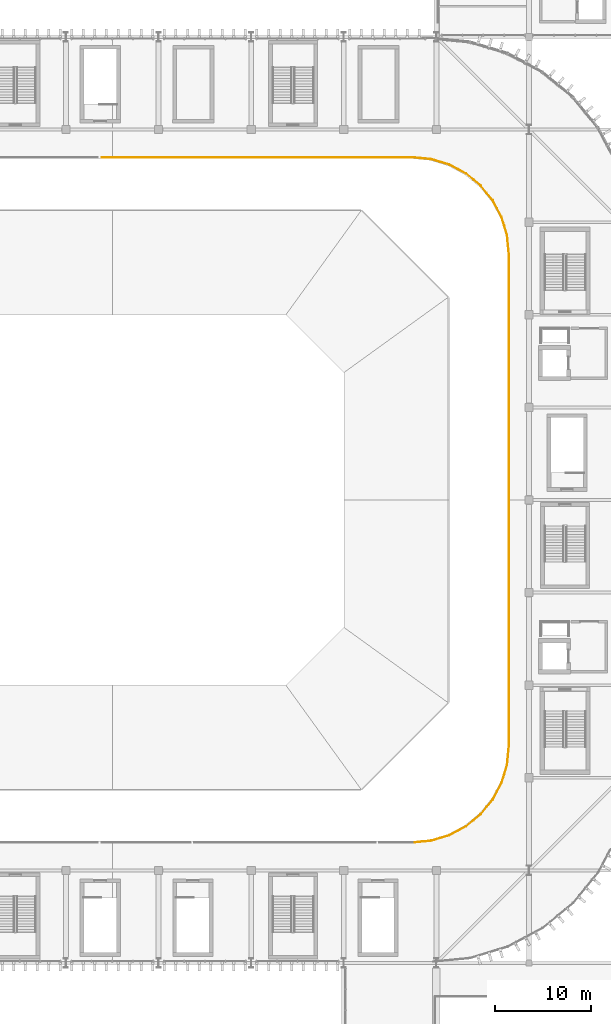
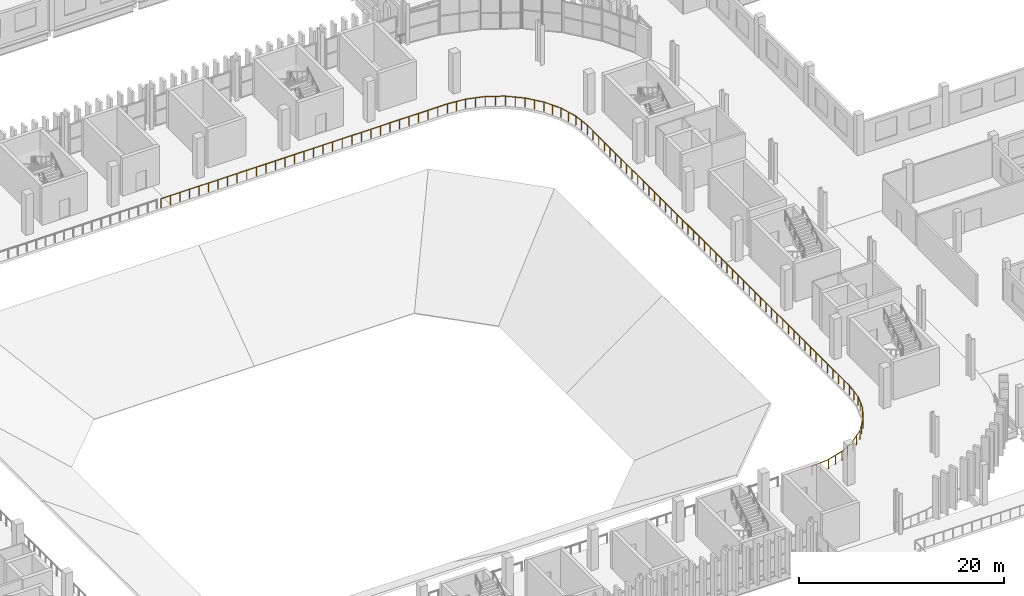
# One storey, part 94 of 99: 1 railing.
"""IFC4 building model written with IfcOpenShell, lengths in metres."""

from ifc_helpers import new_model, si_unit, direction, frame, origin, origin_2d, place, context, subcontext, project, spatial, circle, extrude, material, type_object, element, save


model = new_model("IFC4")

# Units and contexts
model_context = context("Model", 3, precision=1e-05, world=origin(), true_north=direction((0.0, 1.0)))
body_context = subcontext(model_context, "Body", "Model", "MODEL_VIEW")
ifc_project = project(units=[si_unit("LENGTHUNIT", "METRE"), si_unit("AREAUNIT", "SQUARE_METRE"), si_unit("VOLUMEUNIT", "CUBIC_METRE"), si_unit("PLANEANGLEUNIT", "RADIAN"), si_unit("MASSUNIT", "GRAM", prefix="KILO")], contexts=[model_context])

# Site, building, storey
site_placement = place(None, origin())
site = spatial("IfcSite", under=ifc_project, at=site_placement, CompositionType="ELEMENT")
building_placement = place(site_placement, origin())
building = spatial("IfcBuilding", under=site, at=building_placement, Name="Caelomonte Colonnade Arena", CompositionType="ELEMENT")
storey_placement = place(building_placement, frame((0.0, 0.0, 4.800048828125)))
storey = spatial("IfcBuildingStorey", under=building, at=storey_placement, Name="L01", CompositionType="ELEMENT", Elevation=4.800048828125)

# Railing
ifc_material = material(Name="Painted galvanized steel handrail and posts", Category="steel")
railing_type = type_object("IfcRailingType", Name="ENV-RL-GRD1", PredefinedType="GUARDRAIL", material=ifc_material)
railing_placement = place(storey_placement, frame((141.52001953125, 31.679931640625, 0.0)))
element("IfcRailing", 1, at=railing_placement, inside=storey, type_object=railing_type, Name="L01 lower concourse bowl guard 1", PredefinedType="GUARDRAIL", context=body_context, shape_type="SweptSolid", body=[
    extrude(circle(Radius=0.02392578125, at=origin_2d()), frame((0.0, 0.0, 1.076171875), z_axis=(0.995185270943, 0.098011614095, 0.0), x_axis=(-0.098011614095, 0.995185270943, 0.0)), (0.0, 0.0, 1.0), 1.92919921875),
    extrude(circle(Radius=0.02392578125, at=origin_2d()), frame((1.98095703125, 0.201171875, 1.076171875), z_axis=(0.956926930231, 0.290328865595, 0.0), x_axis=(-0.290328865595, 0.956926930231, 0.0)), (0.0, 0.0, 1.0), 1.897705078125),
    extrude(circle(Radius=0.02392578125, at=origin_2d()), frame((3.854248046875, 0.77587890625, 1.076171875), z_axis=(0.881942379719, 0.471357230618, 0.0), x_axis=(-0.471357230618, 0.881942379719, 0.0)), (0.0, 0.0, 1.0), 1.89794921875),
    extrude(circle(Radius=0.02392578125, at=origin_2d()), frame((5.579833984375, 1.705078125, 1.076171875), z_axis=(0.773007598499, 0.634396762809, 0.0), x_axis=(-0.634396762809, 0.773007598499, 0.0)), (0.0, 0.0, 1.0), 1.89794921875),
    extrude(circle(Radius=0.02392578125, at=origin_2d()), frame((7.0908203125, 2.953125, 1.076171875), z_axis=(0.634396762809, 0.773007598499, 0.0), x_axis=(-0.773007598499, 0.634396762809, 0.0)), (0.0, 0.0, 1.0), 1.89794921875),
    extrude(circle(Radius=0.02392578125, at=origin_2d()), frame((8.329345703125, 4.471923828125, 1.076171875), z_axis=(0.471357230618, 0.881942379719, 0.0), x_axis=(-0.881942379719, 0.471357230618, 0.0)), (0.0, 0.0, 1.0), 1.89794921875),
    extrude(circle(Radius=0.02392578125, at=origin_2d()), frame((9.247802734375, 6.203369140625, 1.076171875), z_axis=(0.290328865595, 0.956926930231, 0.0), x_axis=(-0.956926930231, 0.290328865595, 0.0)), (0.0, 0.0, 1.0), 1.897705078125),
    extrude(circle(Radius=0.02392578125, at=origin_2d()), frame((9.81103515625, 8.080078125, 1.076171875), z_axis=(0.098011614095, 0.995185270943, 0.0), x_axis=(-0.995185270943, 0.098011614095, 0.0)), (0.0, 0.0, 1.0), 1.89794921875),
    extrude(circle(Radius=0.02392578125, at=origin_2d()), frame((10.0, 10.03125, 1.076171875), z_axis=(0.0, 1.0, 0.0), x_axis=(-1.0, 0.0, 0.0)), (0.0, 0.0, 1.0), 50.9775390625),
    extrude(circle(Radius=0.02392578125, at=origin_2d()), frame((9.996826171875, 61.071044921875, 1.076171875), z_axis=(-0.098011614095, 0.995185270943, 0.0), x_axis=(-0.995185270943, -0.098011614095, 0.0)), (0.0, 0.0, 1.0), 1.89794921875),
    extrude(circle(Radius=0.02392578125, at=origin_2d()), frame((9.798828125, 63.02099609375, 1.076171875), z_axis=(-0.290294266276, 0.956937426882, 0.0), x_axis=(-0.956937426882, -0.290294266276, 0.0)), (0.0, 0.0, 1.0), 1.89794921875),
    extrude(circle(Radius=0.02392578125, at=origin_2d()), frame((9.22412109375, 64.89453125, 1.076171875), z_axis=(-0.471409005076, 0.881914706722, 0.0), x_axis=(-0.881914706722, -0.471409005076, 0.0)), (0.0, 0.0, 1.0), 1.897705078125),
    extrude(circle(Radius=0.02392578125, at=origin_2d()), frame((8.294921875, 66.619873046875, 1.076171875), z_axis=(-0.634396762809, 0.773007598499, 0.0), x_axis=(-0.773007598499, -0.634396762809, 0.0)), (0.0, 0.0, 1.0), 1.89794921875),
    extrude(circle(Radius=0.02392578125, at=origin_2d()), frame((7.046875, 68.130859375, 1.076171875), z_axis=(-0.773007598499, 0.634396762809, 0.0), x_axis=(-0.634396762809, -0.773007598499, 0.0)), (0.0, 0.0, 1.0), 1.89794921875),
    extrude(circle(Radius=0.02392578125, at=origin_2d()), frame((5.528076171875, 69.369384765625, 1.076171875), z_axis=(-0.881942379719, 0.471357230618, 0.0), x_axis=(-0.471357230618, -0.881942379719, 0.0)), (0.0, 0.0, 1.0), 1.89794921875),
    extrude(circle(Radius=0.02392578125, at=origin_2d()), frame((3.796630859375, 70.287841796875, 1.076171875), z_axis=(-0.956926930231, 0.290328865595, 0.0), x_axis=(-0.290328865595, -0.956926930231, 0.0)), (0.0, 0.0, 1.0), 1.897705078125),
    extrude(circle(Radius=0.02392578125, at=origin_2d()), frame((1.919921875, 70.85107421875, 1.076171875), z_axis=(-0.995185270943, 0.098011614095, 0.0), x_axis=(-0.098011614095, -0.995185270943, 0.0)), (0.0, 0.0, 1.0), 1.89794921875),
    extrude(circle(Radius=0.02392578125, at=origin_2d()), frame((-0.03125, 71.0400390625, 1.076171875), z_axis=(-1.0, 0.0, 0.0), x_axis=(0.0, -1.0, 0.0)), (0.0, 0.0, 1.0), 32.181884765625),
    extrude(circle(Radius=0.02099609375, at=origin_2d()), origin(), (0.0, 0.0, 1.0), 1.048095703125),
    extrude(circle(Radius=0.02099609375, at=origin_2d()), frame((0.9755859375, 0.09619140625, 0.0)), (0.0, 0.0, 1.0), 1.048095703125),
    extrude(circle(Radius=0.02099609375, at=origin_2d()), frame((1.950927734375, 0.192138671875, 0.0)), (0.0, 0.0, 1.0), 1.048095703125),
    extrude(circle(Radius=0.02099609375, at=origin_2d()), frame((2.888671875, 0.4765625, 0.0)), (0.0, 0.0, 1.0), 1.048095703125),
    extrude(circle(Radius=0.02099609375, at=origin_2d()), frame((3.82666015625, 0.76123046875, 0.0)), (0.0, 0.0, 1.0), 1.048095703125),
    extrude(circle(Radius=0.02099609375, at=origin_2d()), frame((4.691162109375, 1.22314453125, 0.0)), (0.0, 0.0, 1.0), 1.048095703125),
    extrude(circle(Radius=0.02099609375, at=origin_2d()), frame((5.5556640625, 1.685302734375, 0.0)), (0.0, 0.0, 1.0), 1.048095703125),
    extrude(circle(Radius=0.02099609375, at=origin_2d()), frame((6.3134765625, 2.30712890625, 0.0)), (0.0, 0.0, 1.0), 1.048095703125),
    extrude(circle(Radius=0.02099609375, at=origin_2d()), frame((7.071044921875, 2.928955078125, 0.0)), (0.0, 0.0, 1.0), 1.048095703125),
    extrude(circle(Radius=0.02099609375, at=origin_2d()), frame((7.69287109375, 3.6865234375, 0.0)), (0.0, 0.0, 1.0), 1.048095703125),
    extrude(circle(Radius=0.02099609375, at=origin_2d()), frame((8.314697265625, 4.4443359375, 0.0)), (0.0, 0.0, 1.0), 1.048095703125),
    extrude(circle(Radius=0.02099609375, at=origin_2d()), frame((8.77685546875, 5.308837890625, 0.0)), (0.0, 0.0, 1.0), 1.048095703125),
    extrude(circle(Radius=0.02099609375, at=origin_2d()), frame((9.23876953125, 6.17333984375, 0.0)), (0.0, 0.0, 1.0), 1.048095703125),
    extrude(circle(Radius=0.02099609375, at=origin_2d()), frame((9.5234375, 7.111328125, 0.0)), (0.0, 0.0, 1.0), 1.048095703125),
    extrude(circle(Radius=0.02099609375, at=origin_2d()), frame((9.807861328125, 8.049072265625, 0.0)), (0.0, 0.0, 1.0), 1.048095703125),
    extrude(circle(Radius=0.02099609375, at=origin_2d()), frame((9.90380859375, 9.0244140625, 0.0)), (0.0, 0.0, 1.0), 1.048095703125),
    extrude(circle(Radius=0.02099609375, at=origin_2d()), frame((10.0, 10.0, 0.0)), (0.0, 0.0, 1.0), 1.048095703125),
    extrude(circle(Radius=0.02099609375, at=origin_2d()), frame((10.0, 11.0859375, 0.0)), (0.0, 0.0, 1.0), 1.048095703125),
    extrude(circle(Radius=0.02099609375, at=origin_2d()), frame((10.0, 12.171875, 0.0)), (0.0, 0.0, 1.0), 1.048095703125),
    extrude(circle(Radius=0.02099609375, at=origin_2d()), frame((10.0, 13.2578125, 0.0)), (0.0, 0.0, 1.0), 1.048095703125),
    extrude(circle(Radius=0.02099609375, at=origin_2d()), frame((10.0, 14.34375, 0.0)), (0.0, 0.0, 1.0), 1.048095703125),
    extrude(circle(Radius=0.02099609375, at=origin_2d()), frame((10.0, 15.4296875, 0.0)), (0.0, 0.0, 1.0), 1.048095703125),
    extrude(circle(Radius=0.02099609375, at=origin_2d()), frame((10.0, 16.515869140625, 0.0)), (0.0, 0.0, 1.0), 1.048095703125),
    extrude(circle(Radius=0.02099609375, at=origin_2d()), frame((10.0, 17.601806640625, 0.0)), (0.0, 0.0, 1.0), 1.048095703125),
    extrude(circle(Radius=0.02099609375, at=origin_2d()), frame((10.0, 18.687744140625, 0.0)), (0.0, 0.0, 1.0), 1.048095703125),
    extrude(circle(Radius=0.02099609375, at=origin_2d()), frame((10.0, 19.773681640625, 0.0)), (0.0, 0.0, 1.0), 1.048095703125),
    extrude(circle(Radius=0.02099609375, at=origin_2d()), frame((10.0, 20.859619140625, 0.0)), (0.0, 0.0, 1.0), 1.048095703125),
    extrude(circle(Radius=0.02099609375, at=origin_2d()), frame((10.0, 21.945556640625, 0.0)), (0.0, 0.0, 1.0), 1.048095703125),
    extrude(circle(Radius=0.02099609375, at=origin_2d()), frame((10.0, 23.031494140625, 0.0)), (0.0, 0.0, 1.0), 1.048095703125),
    extrude(circle(Radius=0.02099609375, at=origin_2d()), frame((10.0, 24.117431640625, 0.0)), (0.0, 0.0, 1.0), 1.048095703125),
    extrude(circle(Radius=0.02099609375, at=origin_2d()), frame((10.0, 25.203369140625, 0.0)), (0.0, 0.0, 1.0), 1.048095703125),
    extrude(circle(Radius=0.02099609375, at=origin_2d()), frame((10.0, 26.289306640625, 0.0)), (0.0, 0.0, 1.0), 1.048095703125),
    extrude(circle(Radius=0.02099609375, at=origin_2d()), frame((10.0, 27.375244140625, 0.0)), (0.0, 0.0, 1.0), 1.048095703125),
    extrude(circle(Radius=0.02099609375, at=origin_2d()), frame((10.0, 28.461181640625, 0.0)), (0.0, 0.0, 1.0), 1.048095703125),
    extrude(circle(Radius=0.02099609375, at=origin_2d()), frame((10.0, 29.54736328125, 0.0)), (0.0, 0.0, 1.0), 1.048095703125),
    extrude(circle(Radius=0.02099609375, at=origin_2d()), frame((10.0, 30.63330078125, 0.0)), (0.0, 0.0, 1.0), 1.048095703125),
    extrude(circle(Radius=0.02099609375, at=origin_2d()), frame((10.0, 31.71923828125, 0.0)), (0.0, 0.0, 1.0), 1.048095703125),
    extrude(circle(Radius=0.02099609375, at=origin_2d()), frame((10.0, 32.80517578125, 0.0)), (0.0, 0.0, 1.0), 1.048095703125),
    extrude(circle(Radius=0.02099609375, at=origin_2d()), frame((10.0, 33.89111328125, 0.0)), (0.0, 0.0, 1.0), 1.048095703125),
    extrude(circle(Radius=0.02099609375, at=origin_2d()), frame((10.0, 34.97705078125, 0.0)), (0.0, 0.0, 1.0), 1.048095703125),
    extrude(circle(Radius=0.02099609375, at=origin_2d()), frame((10.0, 36.06298828125, 0.0)), (0.0, 0.0, 1.0), 1.048095703125),
    extrude(circle(Radius=0.02099609375, at=origin_2d()), frame((10.0, 37.14892578125, 0.0)), (0.0, 0.0, 1.0), 1.048095703125),
    extrude(circle(Radius=0.02099609375, at=origin_2d()), frame((10.0, 38.23486328125, 0.0)), (0.0, 0.0, 1.0), 1.048095703125),
    extrude(circle(Radius=0.02099609375, at=origin_2d()), frame((10.0, 39.32080078125, 0.0)), (0.0, 0.0, 1.0), 1.048095703125),
    extrude(circle(Radius=0.02099609375, at=origin_2d()), frame((10.0, 40.40673828125, 0.0)), (0.0, 0.0, 1.0), 1.048095703125),
    extrude(circle(Radius=0.02099609375, at=origin_2d()), frame((10.0, 41.49267578125, 0.0)), (0.0, 0.0, 1.0), 1.048095703125),
    extrude(circle(Radius=0.02099609375, at=origin_2d()), frame((10.0, 42.578857421875, 0.0)), (0.0, 0.0, 1.0), 1.048095703125),
    extrude(circle(Radius=0.02099609375, at=origin_2d()), frame((10.0, 43.664794921875, 0.0)), (0.0, 0.0, 1.0), 1.048095703125),
    extrude(circle(Radius=0.02099609375, at=origin_2d()), frame((10.0, 44.750732421875, 0.0)), (0.0, 0.0, 1.0), 1.048095703125),
    extrude(circle(Radius=0.02099609375, at=origin_2d()), frame((10.0, 45.836669921875, 0.0)), (0.0, 0.0, 1.0), 1.048095703125),
    extrude(circle(Radius=0.02099609375, at=origin_2d()), frame((10.0, 46.922607421875, 0.0)), (0.0, 0.0, 1.0), 1.048095703125),
    extrude(circle(Radius=0.02099609375, at=origin_2d()), frame((10.0, 48.008544921875, 0.0)), (0.0, 0.0, 1.0), 1.048095703125),
    extrude(circle(Radius=0.02099609375, at=origin_2d()), frame((10.0, 49.094482421875, 0.0)), (0.0, 0.0, 1.0), 1.048095703125),
    extrude(circle(Radius=0.02099609375, at=origin_2d()), frame((10.0, 50.180419921875, 0.0)), (0.0, 0.0, 1.0), 1.048095703125),
    extrude(circle(Radius=0.02099609375, at=origin_2d()), frame((10.0, 51.266357421875, 0.0)), (0.0, 0.0, 1.0), 1.048095703125),
    extrude(circle(Radius=0.02099609375, at=origin_2d()), frame((10.0, 52.352294921875, 0.0)), (0.0, 0.0, 1.0), 1.048095703125),
    extrude(circle(Radius=0.02099609375, at=origin_2d()), frame((10.0, 53.438232421875, 0.0)), (0.0, 0.0, 1.0), 1.048095703125),
    extrude(circle(Radius=0.02099609375, at=origin_2d()), frame((10.0, 54.524169921875, 0.0)), (0.0, 0.0, 1.0), 1.048095703125),
    extrude(circle(Radius=0.02099609375, at=origin_2d()), frame((10.0, 55.6103515625, 0.0)), (0.0, 0.0, 1.0), 1.048095703125),
    extrude(circle(Radius=0.02099609375, at=origin_2d()), frame((10.0, 56.6962890625, 0.0)), (0.0, 0.0, 1.0), 1.048095703125),
    extrude(circle(Radius=0.02099609375, at=origin_2d()), frame((10.0, 57.7822265625, 0.0)), (0.0, 0.0, 1.0), 1.048095703125),
    extrude(circle(Radius=0.02099609375, at=origin_2d()), frame((10.0, 58.8681640625, 0.0)), (0.0, 0.0, 1.0), 1.048095703125),
    extrude(circle(Radius=0.02099609375, at=origin_2d()), frame((10.0, 59.9541015625, 0.0)), (0.0, 0.0, 1.0), 1.048095703125),
    extrude(circle(Radius=0.02099609375, at=origin_2d()), frame((10.0, 61.0400390625, 0.0)), (0.0, 0.0, 1.0), 1.048095703125),
    extrude(circle(Radius=0.02099609375, at=origin_2d()), frame((9.90380859375, 62.015625, 0.0)), (0.0, 0.0, 1.0), 1.048095703125),
    extrude(circle(Radius=0.02099609375, at=origin_2d()), frame((9.807861328125, 62.990966796875, 0.0)), (0.0, 0.0, 1.0), 1.048095703125),
    extrude(circle(Radius=0.02099609375, at=origin_2d()), frame((9.5234375, 63.928955078125, 0.0)), (0.0, 0.0, 1.0), 1.048095703125),
    extrude(circle(Radius=0.02099609375, at=origin_2d()), frame((9.23876953125, 64.866943359375, 0.0)), (0.0, 0.0, 1.0), 1.048095703125),
    extrude(circle(Radius=0.02099609375, at=origin_2d()), frame((8.77685546875, 65.7314453125, 0.0)), (0.0, 0.0, 1.0), 1.048095703125),
    extrude(circle(Radius=0.02099609375, at=origin_2d()), frame((8.314697265625, 66.595703125, 0.0)), (0.0, 0.0, 1.0), 1.048095703125),
    extrude(circle(Radius=0.02099609375, at=origin_2d()), frame((7.69287109375, 67.353515625, 0.0)), (0.0, 0.0, 1.0), 1.048095703125),
    extrude(circle(Radius=0.02099609375, at=origin_2d()), frame((7.071044921875, 68.111083984375, 0.0)), (0.0, 0.0, 1.0), 1.048095703125),
    extrude(circle(Radius=0.02099609375, at=origin_2d()), frame((6.3134765625, 68.73291015625, 0.0)), (0.0, 0.0, 1.0), 1.048095703125),
    extrude(circle(Radius=0.02099609375, at=origin_2d()), frame((5.5556640625, 69.354736328125, 0.0)), (0.0, 0.0, 1.0), 1.048095703125),
    extrude(circle(Radius=0.02099609375, at=origin_2d()), frame((4.691162109375, 69.81689453125, 0.0)), (0.0, 0.0, 1.0), 1.048095703125),
    extrude(circle(Radius=0.02099609375, at=origin_2d()), frame((3.82666015625, 70.27880859375, 0.0)), (0.0, 0.0, 1.0), 1.048095703125),
    extrude(circle(Radius=0.02099609375, at=origin_2d()), frame((2.888671875, 70.5634765625, 0.0)), (0.0, 0.0, 1.0), 1.048095703125),
    extrude(circle(Radius=0.02099609375, at=origin_2d()), frame((1.950927734375, 70.847900390625, 0.0)), (0.0, 0.0, 1.0), 1.048095703125),
    extrude(circle(Radius=0.02099609375, at=origin_2d()), frame((0.9755859375, 70.94384765625, 0.0)), (0.0, 0.0, 1.0), 1.048095703125),
    extrude(circle(Radius=0.02099609375, at=origin_2d()), frame((0.0, 71.0400390625, 0.0)), (0.0, 0.0, 1.0), 1.048095703125),
    extrude(circle(Radius=0.02099609375, at=origin_2d()), frame((-1.07373046875, 71.0400390625, 0.0)), (0.0, 0.0, 1.0), 1.048095703125),
    extrude(circle(Radius=0.02099609375, at=origin_2d()), frame((-2.1474609375, 71.0400390625, 0.0)), (0.0, 0.0, 1.0), 1.048095703125),
    extrude(circle(Radius=0.02099609375, at=origin_2d()), frame((-3.22119140625, 71.0400390625, 0.0)), (0.0, 0.0, 1.0), 1.048095703125),
    extrude(circle(Radius=0.02099609375, at=origin_2d()), frame((-4.295166015625, 71.0400390625, 0.0)), (0.0, 0.0, 1.0), 1.048095703125),
    extrude(circle(Radius=0.02099609375, at=origin_2d()), frame((-5.368896484375, 71.0400390625, 0.0)), (0.0, 0.0, 1.0), 1.048095703125),
    extrude(circle(Radius=0.02099609375, at=origin_2d()), frame((-6.442626953125, 71.0400390625, 0.0)), (0.0, 0.0, 1.0), 1.048095703125),
    extrude(circle(Radius=0.02099609375, at=origin_2d()), frame((-7.516357421875, 71.0400390625, 0.0)), (0.0, 0.0, 1.0), 1.048095703125),
    extrude(circle(Radius=0.02099609375, at=origin_2d()), frame((-8.590087890625, 71.0400390625, 0.0)), (0.0, 0.0, 1.0), 1.048095703125),
    extrude(circle(Radius=0.02099609375, at=origin_2d()), frame((-9.6640625, 71.0400390625, 0.0)), (0.0, 0.0, 1.0), 1.048095703125),
    extrude(circle(Radius=0.02099609375, at=origin_2d()), frame((-10.73779296875, 71.0400390625, 0.0)), (0.0, 0.0, 1.0), 1.048095703125),
    extrude(circle(Radius=0.02099609375, at=origin_2d()), frame((-11.8115234375, 71.0400390625, 0.0)), (0.0, 0.0, 1.0), 1.048095703125),
    extrude(circle(Radius=0.02099609375, at=origin_2d()), frame((-12.88525390625, 71.0400390625, 0.0)), (0.0, 0.0, 1.0), 1.048095703125),
    extrude(circle(Radius=0.02099609375, at=origin_2d()), frame((-13.958984375, 71.0400390625, 0.0)), (0.0, 0.0, 1.0), 1.048095703125),
    extrude(circle(Radius=0.02099609375, at=origin_2d()), frame((-15.03271484375, 71.0400390625, 0.0)), (0.0, 0.0, 1.0), 1.048095703125),
    extrude(circle(Radius=0.02099609375, at=origin_2d()), frame((-16.1064453125, 71.0400390625, 0.0)), (0.0, 0.0, 1.0), 1.048095703125),
    extrude(circle(Radius=0.02099609375, at=origin_2d()), frame((-17.180419921875, 71.0400390625, 0.0)), (0.0, 0.0, 1.0), 1.048095703125),
    extrude(circle(Radius=0.02099609375, at=origin_2d()), frame((-18.254150390625, 71.0400390625, 0.0)), (0.0, 0.0, 1.0), 1.048095703125),
    extrude(circle(Radius=0.02099609375, at=origin_2d()), frame((-19.327880859375, 71.0400390625, 0.0)), (0.0, 0.0, 1.0), 1.048095703125),
    extrude(circle(Radius=0.02099609375, at=origin_2d()), frame((-20.401611328125, 71.0400390625, 0.0)), (0.0, 0.0, 1.0), 1.048095703125),
    extrude(circle(Radius=0.02099609375, at=origin_2d()), frame((-21.475341796875, 71.0400390625, 0.0)), (0.0, 0.0, 1.0), 1.048095703125),
    extrude(circle(Radius=0.02099609375, at=origin_2d()), frame((-22.54931640625, 71.0400390625, 0.0)), (0.0, 0.0, 1.0), 1.048095703125),
    extrude(circle(Radius=0.02099609375, at=origin_2d()), frame((-23.623046875, 71.0400390625, 0.0)), (0.0, 0.0, 1.0), 1.048095703125),
    extrude(circle(Radius=0.02099609375, at=origin_2d()), frame((-24.69677734375, 71.0400390625, 0.0)), (0.0, 0.0, 1.0), 1.048095703125),
    extrude(circle(Radius=0.02099609375, at=origin_2d()), frame((-25.7705078125, 71.0400390625, 0.0)), (0.0, 0.0, 1.0), 1.048095703125),
    extrude(circle(Radius=0.02099609375, at=origin_2d()), frame((-26.84423828125, 71.0400390625, 0.0)), (0.0, 0.0, 1.0), 1.048095703125),
    extrude(circle(Radius=0.02099609375, at=origin_2d()), frame((-27.91796875, 71.0400390625, 0.0)), (0.0, 0.0, 1.0), 1.048095703125),
    extrude(circle(Radius=0.02099609375, at=origin_2d()), frame((-28.99169921875, 71.0400390625, 0.0)), (0.0, 0.0, 1.0), 1.048095703125),
    extrude(circle(Radius=0.02099609375, at=origin_2d()), frame((-30.065673828125, 71.0400390625, 0.0)), (0.0, 0.0, 1.0), 1.048095703125),
    extrude(circle(Radius=0.02099609375, at=origin_2d()), frame((-31.139404296875, 71.0400390625, 0.0)), (0.0, 0.0, 1.0), 1.048095703125),
    extrude(circle(Radius=0.02099609375, at=origin_2d()), frame((-32.213134765625, 71.0400390625, 0.0)), (0.0, 0.0, 1.0), 1.048095703125),
])

save(model, "model.ifc")
